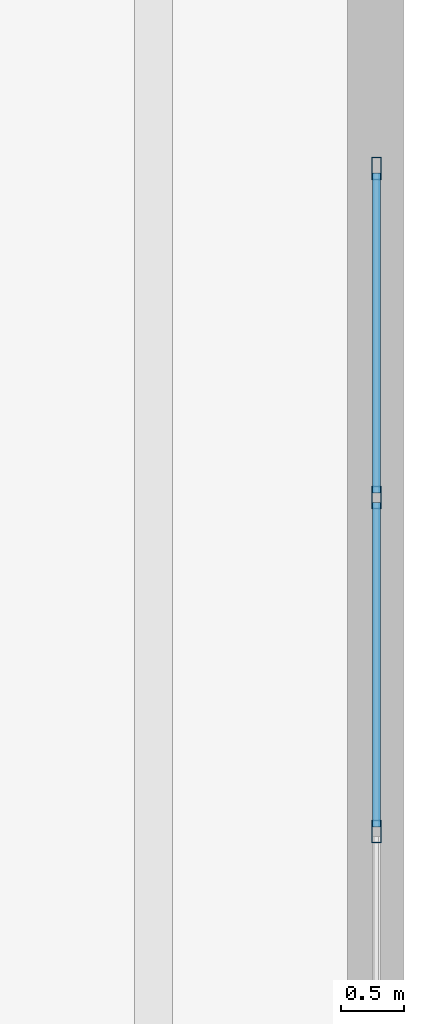
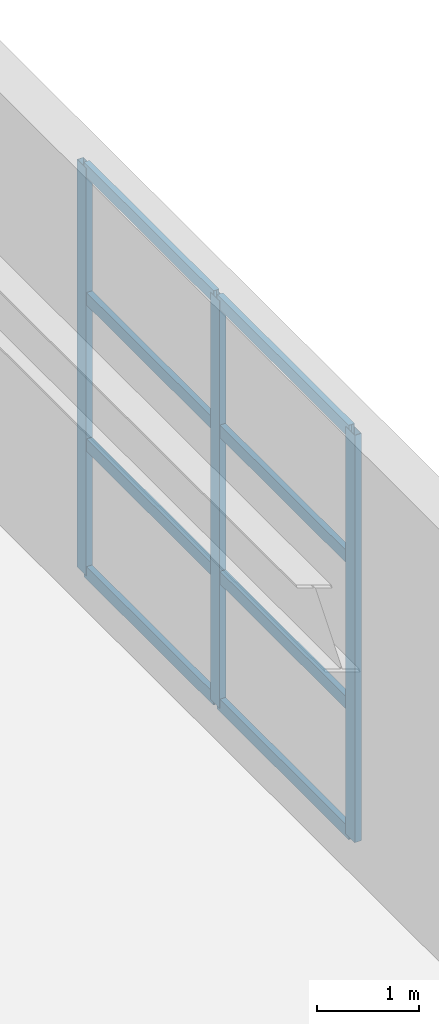
# One storey, part 16 of 35: 11 members, 1 element without a shape of its own.
"""IFC4 building model written with IfcOpenShell, lengths in metres."""

from ifc_helpers import new_model, si_unit, direction, frame, origin, origin_2d, place, context, subcontext, project, spatial, hollow_rectangle, extrude, material, layer, layer_set, material_profile, profile_set, type_object, element, aggregate, save


model = new_model("IFC4")

# Units and contexts
model_context = context("Model", 3, precision=1e-05, world=origin(), true_north=direction((0.0, 1.0)))
body_context = subcontext(model_context, "Body", "Model", "MODEL_VIEW")
ifc_project = project(units=[si_unit("LENGTHUNIT", "METRE"), si_unit("AREAUNIT", "SQUARE_METRE"), si_unit("VOLUMEUNIT", "CUBIC_METRE"), si_unit("PLANEANGLEUNIT", "RADIAN"), si_unit("MASSUNIT", "GRAM", prefix="KILO")], contexts=[model_context])

# Site, building, storey
site_placement = place(None, origin())
site = spatial("IfcSite", under=ifc_project, at=site_placement, CompositionType="ELEMENT")
building_placement = place(site_placement, origin())
building = spatial("IfcBuilding", under=site, at=building_placement, Name="Qiaolan Cultural Towers", CompositionType="ELEMENT")
storey_placement = place(building_placement, frame((0.0, 0.0, 6.0)))
storey = spatial("IfcBuildingStorey", under=building, at=storey_placement, Name="L01", CompositionType="ELEMENT", Elevation=6.0)

# Curtain wall, members
ifc_material_1 = material(Name="Unitized Anodized Aluminium Curtain Wall System", Category="aluminium")
ifc_layer = layer(ifc_material_1, 0.199951171875)
ifc_layer_set = layer_set([ifc_layer], Name="Unitized Anodized Aluminium Curtain Wall System")
curtain_wall_type = type_object("IfcCurtainWallType", Name="CWS-04", PredefinedType="NOTDEFINED", material=ifc_layer_set)
curtain_wall_placement = place(storey_placement, origin())
curtain_wall = element("IfcCurtainWall", 1, at=curtain_wall_placement, inside=storey, type_object=curtain_wall_type, Name="L01 East Exhibition Foyer Curtain Wall", PredefinedType="NOTDEFINED")
ifc_material_2 = material(Name="Extruded Aluminium 6063-T6", Category="aluminium")
ifc_material_profile_1 = material_profile(ifc_material_2, hollow_rectangle(XDim=0.074951171875, YDim=0.179931640625, WallThickness=0.00390625, at=origin_2d()), Name="CWM-180x75x4")
ifc_profile_set_1 = profile_set([ifc_material_profile_1], Name="Extruded Aluminium 6063-T6")
member_type_1 = type_object("IfcMemberType", Name="CWS-04-MUL", PredefinedType="MULLION", material=ifc_profile_set_1)
member_1_placement = place(storey_placement, frame((119.780029296875, 32.666748046875, 0.14990234375), z_axis=(0.0, 0.0, 1.0), x_axis=(-1.0, 0.0, 0.0)))
member_1 = element("IfcMember", 2, at=member_1_placement, type_object=member_type_1, Name="CW-4 mullion 2", PredefinedType="MULLION", context=body_context, shape_type="SweptSolid", body=[
    extrude(hollow_rectangle(XDim=0.074951171875, YDim=0.179931640625, WallThickness=0.00390625, at=origin_2d()), origin(), (0.0, 0.0, 1.0), 4.900146484375),
])
member_2_placement = place(storey_placement, frame((119.780029296875, 35.333251953125, 0.14990234375), z_axis=(0.0, 0.0, 1.0), x_axis=(-1.0, 0.0, 0.0)))
member_2 = element("IfcMember", 3, at=member_2_placement, type_object=member_type_1, Name="CW-4 mullion 3", PredefinedType="MULLION", context=body_context, shape_type="SweptSolid", body=[
    extrude(hollow_rectangle(XDim=0.074951171875, YDim=0.179931640625, WallThickness=0.00390625, at=origin_2d()), origin(), (0.0, 0.0, 1.0), 4.900146484375),
])
member_3_placement = place(storey_placement, frame((119.780029296875, 37.96240234375, 0.14990234375), z_axis=(0.0, 0.0, 1.0), x_axis=(-1.0, 0.0, 0.0)))
member_3 = element("IfcMember", 4, at=member_3_placement, type_object=member_type_1, Name="CW-4 mullion 4", PredefinedType="MULLION", context=body_context, shape_type="SweptSolid", body=[
    extrude(hollow_rectangle(XDim=0.074951171875, YDim=0.179931640625, WallThickness=0.00390625, at=origin_2d()), origin(), (0.0, 0.0, 1.0), 4.900146484375),
])
ifc_material_3 = material(Name="Extruded Aluminium 6063-T6", Category="aluminium")
ifc_material_profile_2 = material_profile(ifc_material_3, hollow_rectangle(XDim=0.06494140625, YDim=0.14990234375, WallThickness=0.00390625, at=origin_2d()), Name="CWT-150x65x4")
ifc_profile_set_2 = profile_set([ifc_material_profile_2], Name="Extruded Aluminium 6063-T6")
member_type_2 = type_object("IfcMemberType", Name="CWS-04-TRN", PredefinedType="USERDEFINED", material=ifc_profile_set_2)
member_4_placement = place(storey_placement, frame((119.780029296875, 32.7041015625, 0.1826171875), z_axis=(0.0, 1.0, 0.0), x_axis=(-1.0, 0.0, 0.0)))
member_4 = element("IfcMember", 5, at=member_4_placement, type_object=member_type_2, Name="CW-4 transom 2.1", ObjectType="TRANSOM", PredefinedType="USERDEFINED", context=body_context, shape_type="SweptSolid", body=[
    extrude(hollow_rectangle(XDim=0.06494140625, YDim=0.14990234375, WallThickness=0.00390625, at=origin_2d()), origin(), (0.0, 0.0, 1.0), 2.591796875),
])
member_5_placement = place(storey_placement, frame((119.780029296875, 32.7041015625, 1.719970703125), z_axis=(0.0, 1.0, 0.0), x_axis=(-1.0, 0.0, 0.0)))
member_5 = element("IfcMember", 6, at=member_5_placement, type_object=member_type_2, Name="CW-4 transom 2.2", ObjectType="TRANSOM", PredefinedType="USERDEFINED", context=body_context, shape_type="SweptSolid", body=[
    extrude(hollow_rectangle(XDim=0.06494140625, YDim=0.14990234375, WallThickness=0.00390625, at=origin_2d()), origin(), (0.0, 0.0, 1.0), 2.591796875),
])
member_6_placement = place(storey_placement, frame((119.780029296875, 32.7041015625, 3.47998046875), z_axis=(0.0, 1.0, 0.0), x_axis=(-1.0, 0.0, 0.0)))
member_6 = element("IfcMember", 7, at=member_6_placement, type_object=member_type_2, Name="CW-4 transom 2.3", ObjectType="TRANSOM", PredefinedType="USERDEFINED", context=body_context, shape_type="SweptSolid", body=[
    extrude(hollow_rectangle(XDim=0.06494140625, YDim=0.14990234375, WallThickness=0.00390625, at=origin_2d()), origin(), (0.0, 0.0, 1.0), 2.591796875),
])
member_7_placement = place(storey_placement, frame((119.780029296875, 32.7041015625, 5.017578125), z_axis=(0.0, 1.0, 0.0), x_axis=(-1.0, 0.0, 0.0)))
member_7 = element("IfcMember", 8, at=member_7_placement, type_object=member_type_2, Name="CW-4 transom 2.4", ObjectType="TRANSOM", PredefinedType="USERDEFINED", context=body_context, shape_type="SweptSolid", body=[
    extrude(hollow_rectangle(XDim=0.06494140625, YDim=0.14990234375, WallThickness=0.00390625, at=origin_2d()), origin(), (0.0, 0.0, 1.0), 2.591796875),
])
member_8_placement = place(storey_placement, frame((119.780029296875, 35.370849609375, 0.1826171875), z_axis=(0.0, 1.0, 0.0), x_axis=(-1.0, 0.0, 0.0)))
member_8 = element("IfcMember", 9, at=member_8_placement, type_object=member_type_2, Name="CW-4 transom 3.1", ObjectType="TRANSOM", PredefinedType="USERDEFINED", context=body_context, shape_type="SweptSolid", body=[
    extrude(hollow_rectangle(XDim=0.06494140625, YDim=0.14990234375, WallThickness=0.00390625, at=origin_2d()), origin(), (0.0, 0.0, 1.0), 2.55419921875),
])
member_9_placement = place(storey_placement, frame((119.780029296875, 35.370849609375, 1.719970703125), z_axis=(0.0, 1.0, 0.0), x_axis=(-1.0, 0.0, 0.0)))
member_9 = element("IfcMember", 10, at=member_9_placement, type_object=member_type_2, Name="CW-4 transom 3.2", ObjectType="TRANSOM", PredefinedType="USERDEFINED", context=body_context, shape_type="SweptSolid", body=[
    extrude(hollow_rectangle(XDim=0.06494140625, YDim=0.14990234375, WallThickness=0.00390625, at=origin_2d()), origin(), (0.0, 0.0, 1.0), 2.55419921875),
])
member_10_placement = place(storey_placement, frame((119.780029296875, 35.370849609375, 3.47998046875), z_axis=(0.0, 1.0, 0.0), x_axis=(-1.0, 0.0, 0.0)))
member_10 = element("IfcMember", 11, at=member_10_placement, type_object=member_type_2, Name="CW-4 transom 3.3", ObjectType="TRANSOM", PredefinedType="USERDEFINED", context=body_context, shape_type="SweptSolid", body=[
    extrude(hollow_rectangle(XDim=0.06494140625, YDim=0.14990234375, WallThickness=0.00390625, at=origin_2d()), origin(), (0.0, 0.0, 1.0), 2.55419921875),
])
member_11_placement = place(storey_placement, frame((119.780029296875, 35.370849609375, 5.017578125), z_axis=(0.0, 1.0, 0.0), x_axis=(-1.0, 0.0, 0.0)))
member_11 = element("IfcMember", 12, at=member_11_placement, type_object=member_type_2, Name="CW-4 transom 3.4", ObjectType="TRANSOM", PredefinedType="USERDEFINED", context=body_context, shape_type="SweptSolid", body=[
    extrude(hollow_rectangle(XDim=0.06494140625, YDim=0.14990234375, WallThickness=0.00390625, at=origin_2d()), origin(), (0.0, 0.0, 1.0), 2.55419921875),
])
aggregate(curtain_wall, [member_1, member_2, member_3, member_4, member_5, member_6, member_7, member_8, member_9, member_10, member_11])

save(model, "model.ifc")
